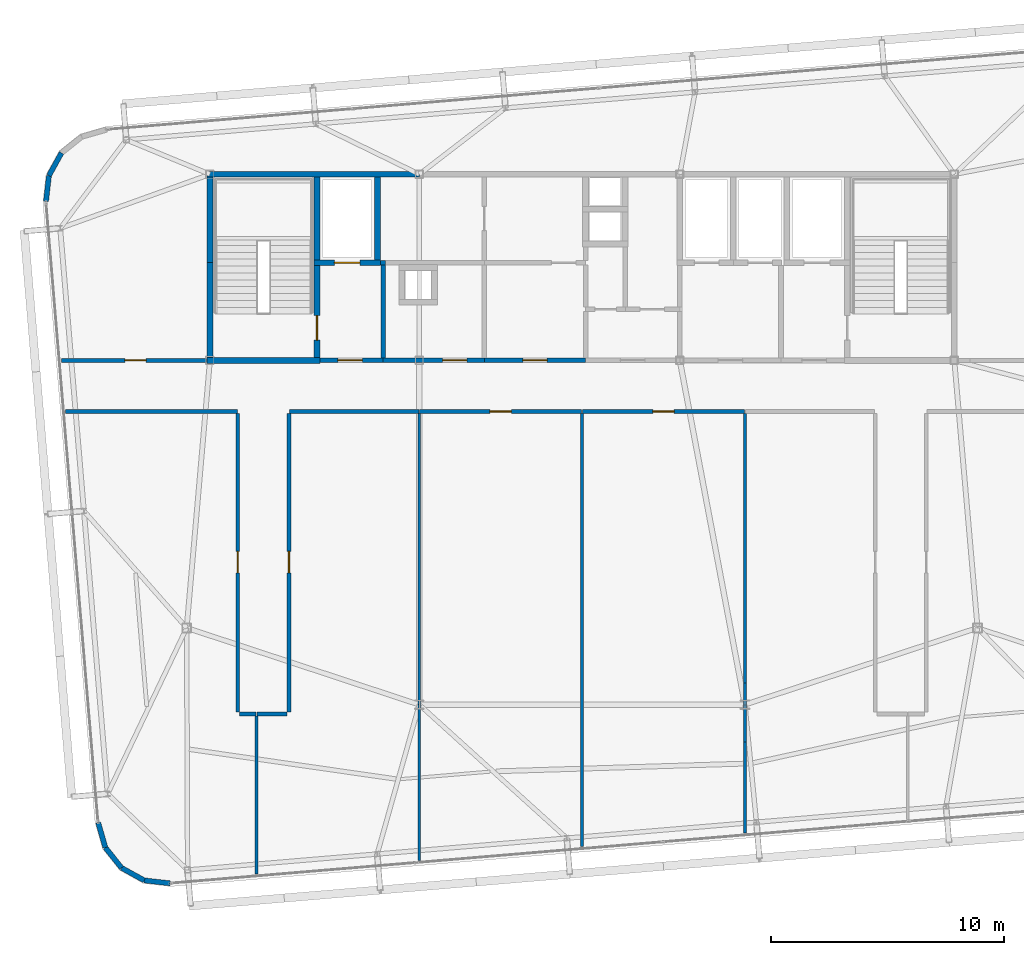
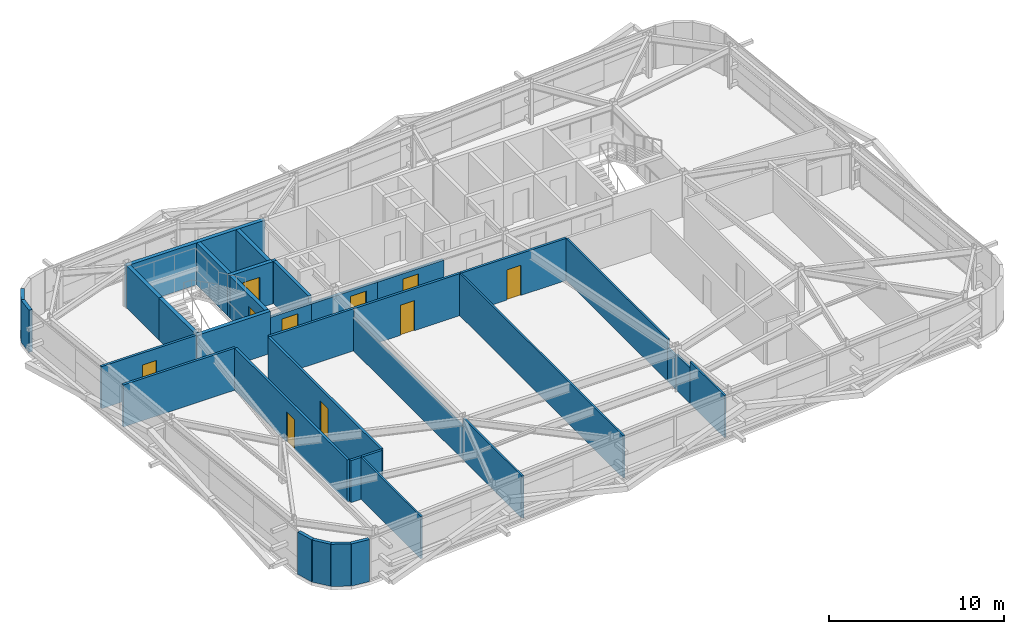
# One storey, part 35 of 39: 36 walls, 10 doors, 10 openings.
"""IFC4 building model written with IfcOpenShell, lengths in metres."""

import ifcopenshell
import ifcopenshell.guid

model = None  # the IFC model being written
_history = None  # IfcOwnerHistory: only IFC2X3 demands one
_inside = {}  # id of a spatial element -> (the spatial element, [elements in it])
_under = {}  # id of a project, library or spatial element -> (it, [spatial elements below it])
_declared = {}  # id of a project -> (the project, [libraries it declares])
_typed = {}  # id of a type object -> (the type object, [elements of that type])
_made_of = {}  # id of a material, layer set ... -> (it, [elements and type objects made of it])


def new_model(schema):
    """Start an empty IFC model of exactly this schema.

    Asked for "IFC4X3", IfcOpenShell would pick the latest addendum, in which some entities
    have other attributes; the version numbers below select the first issue.
    IFC2X3 requires an IfcOwnerHistory on every rooted entity: one is made here for all.
    """
    global model, _history
    if schema == "IFC4X3":
        model = ifcopenshell.file(schema_version=(4, 3, 0, 0))
    else:
        model = ifcopenshell.file(schema=schema)
    _inside.clear()
    _under.clear()
    _declared.clear()
    _typed.clear()
    _made_of.clear()
    _history = None
    if model.schema == "IFC2X3":
        org = make("IfcOrganization", Name="unknown")
        user = make(
            "IfcPersonAndOrganization",
            ThePerson=make("IfcPerson", FamilyName="unknown"),
            TheOrganization=org,
        )
        app = make(
            "IfcApplication",
            ApplicationDeveloper=org,
            Version="unknown",
            ApplicationFullName="unknown",
            ApplicationIdentifier="unknown",
        )
        _history = make(
            "IfcOwnerHistory",
            OwningUser=user,
            OwningApplication=app,
            ChangeAction="ADDED",
            CreationDate=0,
        )
    return model


def make(cls, **values):
    """One entity of the class cls with the attributes given. An attribute that is None is left unset."""
    return model.create_entity(
        cls, **{name: value for name, value in values.items() if value is not None}
    )


def rooted(cls, **values):
    """An entity with a GlobalId (a new one), such as an element, a storey or a relation."""
    return make(cls, GlobalId=ifcopenshell.guid.new(), OwnerHistory=_history, **values)


def si_unit(unit_type, name, prefix=None):
    """IfcSIUnit, for example si_unit("LENGTHUNIT", "METRE", prefix="MILLI")."""
    return make("IfcSIUnit", UnitType=unit_type, Prefix=prefix, Name=name)


def assignment(units):
    """IfcUnitAssignment: the units of a project."""
    return None if units is None else make("IfcUnitAssignment", Units=units)


def point(xyz):
    """IfcCartesianPoint."""
    return None if xyz is None else make("IfcCartesianPoint", Coordinates=xyz)


def direction(xyz):
    """IfcDirection."""
    return None if xyz is None else make("IfcDirection", DirectionRatios=xyz)


def frame(location, z_axis=None, x_axis=None):
    """IfcAxis2Placement3D, a coordinate frame: its origin and axes. An axis left out is left unset."""
    return make(
        "IfcAxis2Placement3D",
        Location=point(location),
        Axis=direction(z_axis),
        RefDirection=direction(x_axis),
    )


def frame_2d(location, x_axis=None):
    """IfcAxis2Placement2D, a coordinate frame in the plane: its origin and x axis."""
    return make(
        "IfcAxis2Placement2D", Location=point(location), RefDirection=direction(x_axis)
    )


def origin():
    """The frame at (0, 0, 0) with its axes left unset."""
    return frame((0.0, 0.0, 0.0))


def place(relative_to, where):
    """IfcLocalPlacement: puts the frame where relative to a parent placement (None: the world)."""
    return make(
        "IfcLocalPlacement", PlacementRelTo=relative_to, RelativePlacement=where
    )


def context(
    kind, dimensions, precision=None, world=None, true_north=None, identifier=None
):
    """IfcGeometricRepresentationContext, for example the 3D "Model" context."""
    return make(
        "IfcGeometricRepresentationContext",
        ContextIdentifier=identifier,
        ContextType=kind,
        CoordinateSpaceDimension=dimensions,
        Precision=precision,
        WorldCoordinateSystem=world,
        TrueNorth=true_north,
    )


def subcontext(parent, identifier, kind, view, scale=None):
    """IfcGeometricRepresentationSubContext, for example "Body" below "Model"."""
    return make(
        "IfcGeometricRepresentationSubContext",
        ContextIdentifier=identifier,
        ContextType=kind,
        ParentContext=parent,
        TargetScale=scale,
        TargetView=view,
    )


def project(units=None, contexts=None):
    """IfcProject with its units and contexts."""
    return rooted(
        "IfcProject",
        Name="project",
        RepresentationContexts=contexts,
        UnitsInContext=assignment(units),
    )


def spatial(cls, under=None, at=None, **own):
    """A site, building, storey or space (cls), placed at a placement, below another one or the project."""
    s = rooted(cls, ObjectPlacement=at, **own)
    if under is not None:
        _under.setdefault(under.id(), (under, []))[1].append(s)
    return s


def profile(cls, at=None, kind="AREA", **sizes):
    """A parametric profile (cls). Its sizes go by their IFC names, for example OverallWidth=200.0."""
    return make(cls, ProfileType=kind, Position=at, **sizes)


def rectangle(**sizes):
    """IfcRectangleProfileDef."""
    return profile("IfcRectangleProfileDef", **sizes)


def extrude(swept, where, along, depth):
    """IfcExtrudedAreaSolid: the profile swept, set in the frame where, extruded along a direction by depth."""
    return make(
        "IfcExtrudedAreaSolid",
        SweptArea=swept,
        Position=where,
        ExtrudedDirection=direction(along),
        Depth=depth,
    )


def shape(context_of_items, identifier, shape_type, items):
    """IfcShapeRepresentation: the items that make up one representation, for example the "Body"."""
    return make(
        "IfcShapeRepresentation",
        ContextOfItems=context_of_items,
        RepresentationIdentifier=identifier,
        RepresentationType=shape_type,
        Items=items,
    )


def source(mapping_origin, context_of_items, identifier, shape_type, items):
    """IfcRepresentationMap: a shape defined once, which mapped items show again and again."""
    return make(
        "IfcRepresentationMap",
        MappingOrigin=mapping_origin,
        MappedRepresentation=shape(context_of_items, identifier, shape_type, items),
    )


def transform(
    local_origin,
    x_axis=None,
    y_axis=None,
    z_axis=None,
    scale=None,
    scale2=None,
    scale3=None,
    uniform=True,
):
    """IfcCartesianTransformationOperator3D, or its non-uniform kind. x_axis, y_axis, z_axis: its Axis1, 2, 3."""
    if uniform:
        return make(
            "IfcCartesianTransformationOperator3D",
            Axis1=direction(x_axis),
            Axis2=direction(y_axis),
            LocalOrigin=point(local_origin),
            Scale=scale,
            Axis3=direction(z_axis),
        )
    return make(
        "IfcCartesianTransformationOperator3DnonUniform",
        Axis1=direction(x_axis),
        Axis2=direction(y_axis),
        LocalOrigin=point(local_origin),
        Scale=scale,
        Axis3=direction(z_axis),
        Scale2=scale2,
        Scale3=scale3,
    )


def mapped(mapping_source, mapping_target):
    """IfcMappedItem: shows the shape of a source again, moved by a transform."""
    return make(
        "IfcMappedItem", MappingSource=mapping_source, MappingTarget=mapping_target
    )


def material(Name=None, Category=None):
    """IfcMaterial."""
    return make("IfcMaterial", Name=Name, Category=Category)


def layer(
    of_material, thickness, ventilated=None, Name=None, Category=None, Priority=None
):
    """IfcMaterialLayer: one layer of a wall or slab, of a material (None: an air gap)."""
    return make(
        "IfcMaterialLayer",
        Material=of_material,
        LayerThickness=thickness,
        IsVentilated=ventilated,
        Name=Name,
        Category=Category,
        Priority=Priority,
    )


def layer_set(layers, Name=None):
    """IfcMaterialLayerSet."""
    return make("IfcMaterialLayerSet", MaterialLayers=layers, LayerSetName=Name)


def made_of(thing, what):
    """Note that an element or type object is made of a material, layer set ...; save() writes the relation."""
    if what is not None:
        _made_of.setdefault(what.id(), (what, []))[1].append(thing)
    return thing


def type_object(cls, material=None, **own):
    """A type object (cls), such as IfcWallType, which elements share."""
    return made_of(rooted(cls, **own), material)


def element(
    cls,
    number,
    at=None,
    inside=None,
    cuts=None,
    type_object=None,
    material=None,
    context=None,
    identifier="Body",
    shape_type=None,
    held_by="IfcProductDefinitionShape",
    body=None,
    shapes=None,
    **own,
):
    """One element of the class cls, such as IfcWall. Its Tag is "e" and its number.

    at: its placement. inside: the storey or other place that contains it. cuts: it is an
    opening in that element (IfcRelVoidsElement). A single representation is given by context,
    identifier, shape_type and body (its items); several are given by shapes. held_by: the class
    of the entity that holds the representations. save() writes the other relations.
    """
    e = rooted(cls, Tag="e%d" % number, ObjectPlacement=at, **own)
    if body is not None:
        shapes = [shape(context, identifier, shape_type, body)]
    if shapes is not None:
        e.Representation = make(held_by, Representations=shapes)
    if inside is not None:
        _inside.setdefault(inside.id(), (inside, []))[1].append(e)
    if cuts is not None:
        rooted(
            "IfcRelVoidsElement", RelatingBuildingElement=cuts, RelatedOpeningElement=e
        )
    if type_object is not None:
        _typed.setdefault(type_object.id(), (type_object, []))[1].append(e)
    return made_of(e, material)


def fill(opening, filler):
    """IfcRelFillsElement: the door or window that sits in an opening."""
    return rooted(
        "IfcRelFillsElement",
        RelatingOpeningElement=opening,
        RelatedBuildingElement=filler,
    )


def aggregate(whole, parts):
    """IfcRelAggregates: a whole, such as a stair, and the parts it consists of."""
    return rooted("IfcRelAggregates", RelatingObject=whole, RelatedObjects=parts)


def save(model, path):
    """Write the relations noted so far, then the file.

    IfcRelAggregates (storeys below a building ...), IfcRelContainedInSpatialStructure (elements
    in a storey), IfcRelDefinesByType, IfcRelAssociatesMaterial and IfcRelDeclares: one each for
    every whole, place, type object, material and project.
    """
    for whole, parts in _under.values():
        aggregate(whole, parts)
    for where, things in _inside.values():
        rooted(
            "IfcRelContainedInSpatialStructure",
            RelatedElements=things,
            RelatingStructure=where,
        )
    for kind, things in _typed.values():
        rooted("IfcRelDefinesByType", RelatedObjects=things, RelatingType=kind)
    for what, things in _made_of.values():
        rooted("IfcRelAssociatesMaterial", RelatedObjects=things, RelatingMaterial=what)
    for by, libraries in _declared.values():
        rooted("IfcRelDeclares", RelatingContext=by, RelatedDefinitions=libraries)
    model.write(path)


model = new_model("IFC4")

# Units and contexts
model_context = context("Model", 3, precision=1e-05, world=origin(), true_north=direction((0.0, 1.0)))
body_context = subcontext(model_context, "Body", "Model", "MODEL_VIEW")
ifc_project = project(units=[si_unit("LENGTHUNIT", "METRE"), si_unit("AREAUNIT", "SQUARE_METRE"), si_unit("VOLUMEUNIT", "CUBIC_METRE"), si_unit("PLANEANGLEUNIT", "RADIAN"), si_unit("MASSUNIT", "GRAM", prefix="KILO")], contexts=[model_context])

# Site, building, storey
site_placement = place(None, origin())
site = spatial("IfcSite", under=ifc_project, at=site_placement, CompositionType="ELEMENT")
building_placement = place(site_placement, origin())
building = spatial("IfcBuilding", under=site, at=building_placement, Name="Taldren Reach Tower", CompositionType="ELEMENT")
storey_placement = place(building_placement, frame((0.0, 0.0, 178.85009765625)))
storey = spatial("IfcBuildingStorey", under=building, at=storey_placement, Name="L54", CompositionType="ELEMENT", Elevation=178.85009765625)

# Walls
ifc_material_1 = material(Name="Pale Champagne Anodised Aluminium Cladding", Category="aluminium")
ifc_layer_1 = layer(ifc_material_1, 0.04, Name="Pale Champagne Anodised Aluminium Cladding", Category="aluminium")
ifc_material_2 = material(Name="Mineral Wool Acoustic Insulation", Category="insulation")
ifc_layer_2 = layer(ifc_material_2, 0.06, Name="Mineral Wool Acoustic Insulation", Category="insulation")
ifc_material_3 = material(Name="Steel Gr 350 (C350L0)", Category="steel")
ifc_layer_3 = layer(ifc_material_3, 0.12, Name="Steel Gr 350 (C350L0)", Category="steel")
ifc_layer_set_1 = layer_set([ifc_layer_1, ifc_layer_2, ifc_layer_3], Name="Pale Champagne Aluminium Cladding and Steel Gr 350 Stud Framing")
wall_type_1 = type_object("IfcWallType", Name="EW-CRN-220", PredefinedType="SOLIDWALL", material=ifc_layer_set_1)
shared_shape_1 = source(origin(), body_context, "Body", "SweptSolid", [
    extrude(rectangle(XDim=1.115966796875, YDim=0.219970703125, at=frame_2d((0.55810546875, 0.0))), origin(), (0.0, 0.0, 1.0), 2.929931640625),
])
for number, where, z_axis, x_axis, name in (
    (1, (12.618896484375, 32.9208984375, 0.0), (0.0, 0.0, 1.0), (-0.484100585842, -0.875012355791, 0.0), "Rounded-corner pale-metal facade wall L54-NW3"),
    (2, (12.07861328125, 31.9443359375, 0.0), (0.0, 0.0, 1.0), (-0.112232247342, -0.993682002784, 0.0), "Rounded-corner pale-metal facade wall L54-NW4"),
    (3, (14.19580078125, 4.129638671875, 0.0), (0.0, 0.0, 1.0), (0.276512002475, -0.961010464297, 0.0), "Rounded-corner pale-metal facade wall L54-SW1"),
    (4, (14.50439453125, 3.05712890625, 0.0), (0.0, 0.0, 1.0), (0.623092886403, -0.782147847222, 0.0), "Rounded-corner pale-metal facade wall L54-SW2"),
    (5, (15.19970703125, 2.184326171875, 0.0), (0.0, 0.0, 1.0), (0.875105012065, -0.483933071672, 0.0), "Rounded-corner pale-metal facade wall L54-SW3"),
    (6, (16.17626953125, 1.644287109375, 0.0), (0.0, 0.0, 1.0), (0.993657581277, -0.112448259968, 0.0), "Rounded-corner pale-metal facade wall L54-SW4"),
):
    element("IfcWall", number, at=place(storey_placement, frame(where, z_axis=z_axis, x_axis=x_axis)), inside=storey, type_object=wall_type_1, Name=name, PredefinedType="SOLIDWALL", context=body_context, shape_type="MappedRepresentation", body=[
        mapped(shared_shape_1, transform((0.0, 0.0, 0.0), scale=1.0)),
    ])

# Wall, opening, door
ifc_material_4 = material(Name="Concrete S50 (50 MPa)", Category="concrete")
ifc_layer_4 = layer(ifc_material_4, 0.199951171875)
ifc_layer_set_2 = layer_set([ifc_layer_4], Name="Concrete S50 (50 MPa)")
wall_type_2 = type_object("IfcWallType", Name="IW-CORE-200", PredefinedType="SOLIDWALL", material=ifc_layer_set_2)
shared_shape_2 = source(origin(), body_context, "Body", "SweptSolid", [
    extrude(rectangle(XDim=4.35009765625, YDim=0.199951171875, at=frame_2d((2.175048828125, 0.0))), origin(), (0.0, 0.0, 1.0), 2.469970703125),
])
wall_1_placement = place(storey_placement, frame((30.800048828125, 24.0, 0.0), z_axis=(0.0, 0.0, 1.0), x_axis=(-1.0, 0.0, 0.0)))
wall_1 = element("IfcWall", 7, at=wall_1_placement, inside=storey, type_object=wall_type_2, Name="Rear Core Shear Wall W-INT-L54-034", PredefinedType="SOLIDWALL", context=body_context, shape_type="MappedRepresentation", body=[
    mapped(shared_shape_2, transform((0.0, 0.0, 0.0), scale=1.0)),
])
shared_shape_3 = source(origin(), body_context, "Body", "SweptSolid", [
    extrude(rectangle(XDim=1.050048828125, YDim=2.10009765625, at=frame_2d((0.52490234375, 1.050048828125))), frame((0.0, 0.10986328125, 0.0), z_axis=(0.0, -1.0, 0.0), x_axis=(1.0, 0.0, 0.0)), (0.0, 0.0, 1.0), 0.219970703125),
])
opening_1_placement = place(wall_1_placement, frame((0.75, 0.0, 0.0)))
opening_1 = element("IfcOpeningElement", 8, at=opening_1_placement, cuts=wall_1, Name="Opening DF-105", PredefinedType="OPENING", context=body_context, shape_type="MappedRepresentation", body=[
    mapped(shared_shape_3, transform((0.0, 0.0, 0.0), scale=1.0)),
])
ifc_material_5 = material(Name="Fire-Rated Care and Stair Exit Door")
door_type_1 = type_object("IfcDoorType", Name="ID-FIRE-105", OperationType="NOTDEFINED", PredefinedType="DOOR", material=ifc_material_5)
shared_shape_4 = source(origin(), body_context, "Body", "SweptSolid", [
    extrude(rectangle(XDim=1.050048828125, YDim=2.10009765625, at=frame_2d((0.52490234375, 1.050048828125))), frame((0.0, 0.02490234375, 0.0), z_axis=(0.0, -1.0, 0.0), x_axis=(1.0, 0.0, 0.0)), (0.0, 0.0, 1.0), 0.050048828125),
])
door_1_placement = place(opening_1_placement, frame((1.050048828125, 0.0, 0.0), z_axis=(0.0, 0.0, 1.0), x_axis=(-1.0, 0.0, 0.0)))
door_1 = element("IfcDoor", 9, at=door_1_placement, inside=storey, type_object=door_type_1, Name="Interior Door DR-L54-006", OperationType="SINGLE_SWING_RIGHT", OverallHeight=2.10009765625, OverallWidth=1.050048828125, PredefinedType="DOOR", context=body_context, shape_type="MappedRepresentation", body=[
    mapped(shared_shape_4, transform((0.0, 0.0, 0.0), scale=1.0)),
])
fill(opening_1, door_1)

shared_shape_5 = source(origin(), body_context, "Body", "SweptSolid", [
    extrude(rectangle(XDim=4.349853515625, YDim=0.199951171875, at=frame_2d((2.1748046875, 0.0))), origin(), (0.0, 0.0, 1.0), 2.469970703125),
])
wall_2_placement = place(storey_placement, frame((35.14990234375, 24.0, 0.0), z_axis=(0.0, 0.0, 1.0), x_axis=(-1.0, 0.0, 0.0)))
wall_2 = element("IfcWall", 10, at=wall_2_placement, inside=storey, type_object=wall_type_2, Name="Rear Core Shear Wall W-INT-L54-039", PredefinedType="SOLIDWALL", context=body_context, shape_type="MappedRepresentation", body=[
    mapped(shared_shape_5, transform((0.0, 0.0, 0.0), scale=1.0)),
])
opening_2_placement = place(wall_2_placement, frame((1.64990234375, 0.0, 0.0)))
opening_2 = element("IfcOpeningElement", 11, at=opening_2_placement, cuts=wall_2, Name="Opening DF-105", PredefinedType="OPENING", context=body_context, shape_type="MappedRepresentation", body=[
    mapped(shared_shape_3, transform((0.0, 0.0, 0.0), scale=1.0)),
])
door_2_placement = place(opening_2_placement, frame((1.050048828125, 0.0, 0.0), z_axis=(0.0, 0.0, 1.0), x_axis=(-1.0, 0.0, 0.0)))
door_2 = element("IfcDoor", 12, at=door_2_placement, inside=storey, type_object=door_type_1, Name="Interior Door DR-L54-009", OperationType="SINGLE_SWING_LEFT", OverallHeight=2.10009765625, OverallWidth=1.050048828125, PredefinedType="DOOR", context=body_context, shape_type="MappedRepresentation", body=[
    mapped(shared_shape_4, transform((0.0, 0.0, 0.0), scale=1.0)),
])
fill(opening_2, door_2)

# Walls
ifc_material_6 = material(Name="Fire-Rated Acoustic Plasterboard Stud Wall", Category="gypsum")
ifc_layer_5 = layer(ifc_material_6, 0.159912109375)
ifc_layer_set_3 = layer_set([ifc_layer_5], Name="Fire-Rated Acoustic Plasterboard Stud Wall")
wall_type_3 = type_object("IfcWallType", Name="IW-FIRE-160", PredefinedType="PARTITIONING", material=ifc_layer_set_3)
shared_shape_6 = source(origin(), body_context, "Body", "SweptSolid", [
    extrude(rectangle(XDim=1.2998046875, YDim=0.159912109375, at=frame_2d((0.64990234375, 0.0))), origin(), (0.0, 0.0, 1.0), 2.929931640625),
])
wall_3_placement = place(storey_placement, frame((22.320068359375, 8.800048828125, 0.0), z_axis=(0.0, 0.0, 1.0), x_axis=(-1.0, 0.0, 0.0)))
element("IfcWall", 13, at=wall_3_placement, inside=storey, type_object=wall_type_3, Name="Interior Partition Wall W-INT-L54-051", PredefinedType="PARTITIONING", context=body_context, shape_type="MappedRepresentation", body=[
    mapped(shared_shape_6, transform((0.0, 0.0, 0.0), scale=1.0)),
])
shared_shape_7 = source(origin(), body_context, "Body", "SweptSolid", [
    extrude(rectangle(XDim=0.69970703125, YDim=0.159912109375, at=frame_2d((0.349853515625, 0.0))), origin(), (0.0, 0.0, 1.0), 2.929931640625),
])
wall_4_placement = place(storey_placement, frame((20.979736328125, 8.800048828125, 0.0), z_axis=(0.0, 0.0, 1.0), x_axis=(-1.0, 0.0, 0.0)))
element("IfcWall", 14, at=wall_4_placement, inside=storey, type_object=wall_type_3, Name="Interior Partition Wall W-INT-L54-048", PredefinedType="PARTITIONING", context=body_context, shape_type="MappedRepresentation", body=[
    mapped(shared_shape_7, transform((0.0, 0.0, 0.0), scale=1.0)),
])
shared_shape_8 = source(origin(), body_context, "Body", "SweptSolid", [
    extrude(rectangle(XDim=4.0, YDim=0.199951171875, at=frame_2d((2.0, 0.0))), origin(), (0.0, 0.0, 1.0), 2.929931640625),
])
wall_5_placement = place(storey_placement, frame((26.449951171875, 24.10009765625, 0.0), z_axis=(0.0, 0.0, 1.0), x_axis=(0.0, 1.0, 0.0)))
element("IfcWall", 15, at=wall_5_placement, inside=storey, type_object=wall_type_2, Name="Rear Core Shear Wall W-INT-L54-006", PredefinedType="SOLIDWALL", context=body_context, shape_type="MappedRepresentation", body=[
    mapped(shared_shape_8, transform((0.0, 0.0, 0.0), scale=1.0)),
])
ifc_material_7 = material(Name="Insulated Residential Stud Partition", Category="gypsum")
ifc_layer_6 = layer(ifc_material_7, 0.1201171875)
ifc_layer_set_4 = layer_set([ifc_layer_6], Name="Insulated Residential Stud Partition")
wall_type_4 = type_object("IfcWallType", Name="IW-PART-120", PredefinedType="PARTITIONING", material=ifc_layer_set_4)
shared_shape_9 = source(origin(), body_context, "Body", "SweptSolid", [
    extrude(rectangle(XDim=11.589599609375, YDim=0.1201171875, at=frame_2d((5.794921875, 0.0))), origin(), (0.0, 0.0, 1.0), 2.929931640625),
])
wall_6_placement = place(storey_placement, frame((42.0, 21.719970703125, 0.0), z_axis=(0.0, 0.0, 1.0), x_axis=(0.0, -1.0, 0.0)))
element("IfcWall", 16, at=wall_6_placement, inside=storey, type_object=wall_type_4, Name="Interior Partition Wall W-INT-L54-065", PredefinedType="PARTITIONING", context=body_context, shape_type="MappedRepresentation", body=[
    mapped(shared_shape_9, transform((0.0, 0.0, 0.0), scale=1.0)),
])
shared_shape_10 = source(origin(), body_context, "Body", "SweptSolid", [
    extrude(rectangle(XDim=0.941650390625, YDim=0.1201171875, at=frame_2d((0.470703125, 0.0))), origin(), (0.0, 0.0, 1.0), 2.327880859375),
])
wall_7_placement = place(storey_placement, frame((42.0, 10.13037109375, 0.0), z_axis=(0.0, 0.0, 1.0), x_axis=(0.0, -1.0, 0.0)))
element("IfcWall", 17, at=wall_7_placement, inside=storey, type_object=wall_type_4, Name="Interior Partition Wall W-INT-L54-065 part 2", PredefinedType="PARTITIONING", context=body_context, shape_type="MappedRepresentation", body=[
    mapped(shared_shape_10, transform((0.0, 0.0, 0.0), scale=1.0)),
])

# Wall, opening, door
shared_shape_11 = source(origin(), body_context, "Body", "SweptSolid", [
    extrude(rectangle(XDim=6.95947265625, YDim=0.159912109375, at=frame_2d((3.479736328125, 0.0))), origin(), (0.0, 0.0, 1.0), 2.929931640625),
])
wall_8_placement = place(storey_placement, frame((34.979736328125, 21.800048828125, 0.0), z_axis=(0.0, 0.0, 1.0), x_axis=(-1.0, 0.0, 0.0)))
wall_8 = element("IfcWall", 18, at=wall_8_placement, inside=storey, type_object=wall_type_3, Name="Interior Partition Wall W-INT-L54-052", PredefinedType="PARTITIONING", context=body_context, shape_type="MappedRepresentation", body=[
    mapped(shared_shape_11, transform((0.0, 0.0, 0.0), scale=1.0)),
])
shared_shape_12 = source(origin(), body_context, "Body", "SweptSolid", [
    extrude(rectangle(XDim=0.919921875, YDim=2.10009765625, at=frame_2d((0.4599609375, 1.050048828125))), frame((0.0, 0.08984375, 0.0), z_axis=(0.0, -1.0, 0.0), x_axis=(1.0, 0.0, 0.0)), (0.0, 0.0, 1.0), 0.179931640625),
])
opening_3_placement = place(wall_8_placement, frame((3.019775390625, 0.0, 0.0)))
opening_3 = element("IfcOpeningElement", 19, at=opening_3_placement, cuts=wall_8, Name="Opening DI-092", PredefinedType="OPENING", context=body_context, shape_type="MappedRepresentation", body=[
    mapped(shared_shape_12, transform((0.0, 0.0, 0.0), scale=1.0)),
])
ifc_material_8 = material(Name="Solid-Core Timber Suite Door", Category="wood")
door_type_2 = type_object("IfcDoorType", Name="ID-INT-092", OperationType="NOTDEFINED", PredefinedType="DOOR", material=ifc_material_8)
shared_shape_13 = source(origin(), body_context, "Body", "SweptSolid", [
    extrude(rectangle(XDim=0.919921875, YDim=2.10009765625, at=frame_2d((0.4599609375, 1.050048828125))), frame((0.0, 0.02490234375, 0.0), z_axis=(0.0, -1.0, 0.0), x_axis=(1.0, 0.0, 0.0)), (0.0, 0.0, 1.0), 0.050048828125),
])
door_3_placement = place(opening_3_placement, origin())
door_3 = element("IfcDoor", 20, at=door_3_placement, inside=storey, type_object=door_type_2, Name="Interior Door DR-L54-016", OperationType="SINGLE_SWING_LEFT", OverallHeight=2.10009765625, OverallWidth=0.919921875, PredefinedType="DOOR", context=body_context, shape_type="MappedRepresentation", body=[
    mapped(shared_shape_13, transform((0.0, 0.0, 0.0), scale=1.0)),
])
fill(opening_3, door_3)

wall_9_placement = place(storey_placement, frame((41.979736328125, 21.800048828125, 0.0), z_axis=(0.0, 0.0, 1.0), x_axis=(-1.0, 0.0, 0.0)))
wall_9 = element("IfcWall", 21, at=wall_9_placement, inside=storey, type_object=wall_type_3, Name="Interior Partition Wall W-INT-L54-054", PredefinedType="PARTITIONING", context=body_context, shape_type="MappedRepresentation", body=[
    mapped(shared_shape_11, transform((0.0, 0.0, 0.0), scale=1.0)),
])
opening_4_placement = place(wall_9_placement, frame((3.019775390625, 0.0, 0.0)))
opening_4 = element("IfcOpeningElement", 22, at=opening_4_placement, cuts=wall_9, Name="Opening DI-092", PredefinedType="OPENING", context=body_context, shape_type="MappedRepresentation", body=[
    mapped(shared_shape_12, transform((0.0, 0.0, 0.0), scale=1.0)),
])
door_4_placement = place(opening_4_placement, origin())
door_4 = element("IfcDoor", 23, at=door_4_placement, inside=storey, type_object=door_type_2, Name="Interior Door DR-L54-018", OperationType="SINGLE_SWING_LEFT", OverallHeight=2.10009765625, OverallWidth=0.919921875, PredefinedType="DOOR", context=body_context, shape_type="MappedRepresentation", body=[
    mapped(shared_shape_13, transform((0.0, 0.0, 0.0), scale=1.0)),
])
fill(opening_4, door_4)

# Walls
shared_shape_14 = source(origin(), body_context, "Body", "SweptSolid", [
    extrude(rectangle(XDim=12.52001953125, YDim=0.1201171875, at=frame_2d((6.260009765625, 0.0))), origin(), (0.0, 0.0, 1.0), 2.327880859375),
])
wall_10_placement = place(storey_placement, frame((28.0, 21.719970703125, 0.0), z_axis=(0.0, 0.0, 1.0), x_axis=(0.0, -1.0, 0.0)))
element("IfcWall", 24, at=wall_10_placement, inside=storey, type_object=wall_type_4, Name="Interior Partition Wall W-INT-L54-063", PredefinedType="PARTITIONING", context=body_context, shape_type="MappedRepresentation", body=[
    mapped(shared_shape_14, transform((0.0, 0.0, 0.0), scale=1.0)),
])
ifc_material_9 = material(Name="Concrete S65 (65 MPa)", Category="concrete")
ifc_layer_7 = layer(ifc_material_9, 0.25)
ifc_layer_set_5 = layer_set([ifc_layer_7], Name="Concrete S65 (65 MPa)")
wall_type_5 = type_object("IfcWallType", Name="IW-CORE-250", PredefinedType="SHEAR", material=ifc_layer_set_5)
shared_shape_15 = source(origin(), body_context, "Body", "SweptSolid", [
    extrude(rectangle(XDim=9.125, YDim=0.25, at=frame_2d((4.5625, 0.0))), origin(), (0.0, 0.0, 1.0), 2.929931640625),
])
wall_11_placement = place(storey_placement, frame((18.875, 32.0, 0.0), z_axis=(0.0, 0.0, 1.0), x_axis=(1.0, 0.0, 0.0)))
element("IfcWall", 25, at=wall_11_placement, inside=storey, type_object=wall_type_5, Name="Rear Core Shear Wall W-CORE-L54-NORTH1", PredefinedType="SHEAR", context=body_context, shape_type="MappedRepresentation", body=[
    mapped(shared_shape_15, transform((0.0, 0.0, 0.0), scale=1.0)),
])
shared_shape_16 = source(origin(), body_context, "Body", "SweptSolid", [
    extrude(rectangle(XDim=4.074951171875, YDim=0.25, at=frame_2d((2.03759765625, 0.0))), origin(), (0.0, 0.0, 1.0), 2.929931640625),
])
wall_12_placement = place(storey_placement, frame((19.0, 24.125, 0.0), z_axis=(0.0, 0.0, 1.0), x_axis=(0.0, 1.0, 0.0)))
element("IfcWall", 26, at=wall_12_placement, inside=storey, type_object=wall_type_5, Name="Rear Core Shear Wall W-CORE-L54-WEST1", PredefinedType="SHEAR", context=body_context, shape_type="MappedRepresentation", body=[
    mapped(shared_shape_16, transform((0.0, 0.0, 0.0), scale=1.0)),
])
shared_shape_17 = source(origin(), body_context, "Body", "SweptSolid", [
    extrude(rectangle(XDim=3.675048828125, YDim=0.25, at=frame_2d((1.83740234375, 0.0))), origin(), (0.0, 0.0, 1.0), 2.929931640625),
])
wall_13_placement = place(storey_placement, frame((19.0, 28.199951171875, 0.0), z_axis=(0.0, 0.0, 1.0), x_axis=(0.0, 1.0, 0.0)))
element("IfcWall", 27, at=wall_13_placement, inside=storey, type_object=wall_type_5, Name="Rear Core Shear Wall W-CORE-L54-WEST2", PredefinedType="SHEAR", context=body_context, shape_type="MappedRepresentation", body=[
    mapped(shared_shape_17, transform((0.0, 0.0, 0.0), scale=1.0)),
])
shared_shape_18 = source(origin(), body_context, "Body", "SweptSolid", [
    extrude(rectangle(XDim=3.550048828125, YDim=0.25, at=frame_2d((1.77490234375, 0.0))), origin(), (0.0, 0.0, 1.0), 2.929931640625),
])
for number, where, z_axis, x_axis, name in (
    (28, (23.60009765625, 28.324951171875, 0.0), (0.0, 0.0, 1.0), (0.0, 1.0, 0.0), "Rear Core Shear Wall W-INT-L54-001"),
    (29, (26.199951171875, 28.324951171875, 0.0), (0.0, 0.0, 1.0), (0.0, 1.0, 0.0), "Rear Core Shear Wall W-INT-L54-005"),
):
    element("IfcWall", number, at=place(storey_placement, frame(where, z_axis=z_axis, x_axis=x_axis)), inside=storey, type_object=wall_type_5, Name=name, PredefinedType="SHEAR", context=body_context, shape_type="MappedRepresentation", body=[
        mapped(shared_shape_18, transform((0.0, 0.0, 0.0), scale=1.0)),
    ])

# Wall, opening, door
shared_shape_19 = source(origin(), body_context, "Body", "SweptSolid", [
    extrude(rectangle(XDim=3.949951171875, YDim=0.25, at=frame_2d((1.97509765625, 0.0))), origin(), (0.0, 0.0, 1.0), 2.929931640625),
])
wall_14_placement = place(storey_placement, frame((23.60009765625, 24.125, 0.0), z_axis=(0.0, 0.0, 1.0), x_axis=(0.0, 1.0, 0.0)))
wall_14 = element("IfcWall", 30, at=wall_14_placement, inside=storey, type_object=wall_type_5, Name="Rear Core Shear Wall W-INT-L54-002", PredefinedType="SHEAR", context=body_context, shape_type="MappedRepresentation", body=[
    mapped(shared_shape_19, transform((0.0, 0.0, 0.0), scale=1.0)),
])
shared_shape_20 = source(origin(), body_context, "Body", "SweptSolid", [
    extrude(rectangle(XDim=1.050048828125, YDim=2.10009765625, at=frame_2d((0.52490234375, 1.050048828125))), frame((0.0, 0.135009765625, 0.0), z_axis=(0.0, -1.0, 0.0), x_axis=(1.0, 0.0, 0.0)), (0.0, 0.0, 1.0), 0.27001953125),
])
opening_5_placement = place(wall_14_placement, frame((0.75, 0.0, 0.0)))
opening_5 = element("IfcOpeningElement", 31, at=opening_5_placement, cuts=wall_14, Name="Opening DF-105", PredefinedType="OPENING", context=body_context, shape_type="MappedRepresentation", body=[
    mapped(shared_shape_20, transform((0.0, 0.0, 0.0), scale=1.0)),
])
door_5_placement = place(opening_5_placement, origin())
door_5 = element("IfcDoor", 32, at=door_5_placement, inside=storey, type_object=door_type_1, Name="Fire Exit Stair Door DR-L54-001", OperationType="SINGLE_SWING_LEFT", OverallHeight=2.10009765625, OverallWidth=1.050048828125, PredefinedType="DOOR", context=body_context, shape_type="MappedRepresentation", body=[
    mapped(shared_shape_4, transform((0.0, 0.0, 0.0), scale=1.0)),
])
fill(opening_5, door_5)

# Wall
shared_shape_21 = source(origin(), body_context, "Body", "SweptSolid", [
    extrude(rectangle(XDim=4.85009765625, YDim=0.25, at=frame_2d((2.425048828125, 0.0))), origin(), (0.0, 0.0, 1.0), 2.929931640625),
])
wall_15_placement = place(storey_placement, frame((18.875, 24.0, 0.0), z_axis=(0.0, 0.0, 1.0), x_axis=(1.0, 0.0, 0.0)))
element("IfcWall", 33, at=wall_15_placement, inside=storey, type_object=wall_type_5, Name="Rear Core Shear Wall W-INT-L54-003", PredefinedType="SHEAR", context=body_context, shape_type="MappedRepresentation", body=[
    mapped(shared_shape_21, transform((0.0, 0.0, 0.0), scale=1.0)),
])

# Wall, opening, door
shared_shape_22 = source(origin(), body_context, "Body", "SweptSolid", [
    extrude(rectangle(XDim=2.849853515625, YDim=0.25, at=frame_2d((1.4248046875, 0.0))), origin(), (0.0, 0.0, 1.0), 2.929931640625),
])
wall_16_placement = place(storey_placement, frame((23.47509765625, 28.199951171875, 0.0), z_axis=(0.0, 0.0, 1.0), x_axis=(1.0, 0.0, 0.0)))
wall_16 = element("IfcWall", 34, at=wall_16_placement, inside=storey, type_object=wall_type_5, Name="Rear Core Shear Wall W-INT-L54-004", PredefinedType="SHEAR", context=body_context, shape_type="MappedRepresentation", body=[
    mapped(shared_shape_22, transform((0.0, 0.0, 0.0), scale=1.0)),
])
shared_shape_23 = source(origin(), body_context, "Body", "SweptSolid", [
    extrude(rectangle(XDim=1.10009765625, YDim=2.14990234375, at=frame_2d((0.550048828125, 1.074951171875))), frame((0.0, 0.135009765625, 0.0), z_axis=(0.0, -1.0, 0.0), x_axis=(1.0, 0.0, 0.0)), (0.0, 0.0, 1.0), 0.27001953125),
])
opening_6_placement = place(wall_16_placement, frame((0.875, 0.0, 0.0)))
opening_6 = element("IfcOpeningElement", 35, at=opening_6_placement, cuts=wall_16, Name="Opening LD-FL1", PredefinedType="OPENING", context=body_context, shape_type="MappedRepresentation", body=[
    mapped(shared_shape_23, transform((0.0, 0.0, 0.0), scale=1.0)),
])
ifc_material_10 = material(Name="Stainless Steel Gr 316 Emergency Lift Landing Door", Category="steel")
door_type_3 = type_object("IfcDoorType", Name="LD-EMG-110", OperationType="SLIDING_TO_LEFT", PredefinedType="DOOR", material=ifc_material_10)
shared_shape_24 = source(origin(), body_context, "Body", "SweptSolid", [
    extrude(rectangle(XDim=1.10009765625, YDim=2.14990234375, at=frame_2d((0.550048828125, 1.074951171875))), frame((0.0, 0.02490234375, 0.0), z_axis=(0.0, -1.0, 0.0), x_axis=(1.0, 0.0, 0.0)), (0.0, 0.0, 1.0), 0.050048828125),
])
door_6_placement = place(opening_6_placement, origin())
door_6 = element("IfcDoor", 36, at=door_6_placement, inside=storey, type_object=door_type_3, Name="Lift Landing Door LD-FL1-L54", OperationType="SLIDING_TO_LEFT", OverallHeight=2.14990234375, OverallWidth=1.10009765625, PredefinedType="DOOR", context=body_context, shape_type="MappedRepresentation", body=[
    mapped(shared_shape_24, transform((0.0, 0.0, 0.0), scale=1.0)),
])
fill(opening_6, door_6)

shared_shape_25 = source(origin(), body_context, "Body", "SweptSolid", [
    extrude(rectangle(XDim=2.724853515625, YDim=0.199951171875, at=frame_2d((1.3623046875, 0.0))), origin(), (0.0, 0.0, 1.0), 2.469970703125),
])
wall_17_placement = place(storey_placement, frame((23.72509765625, 24.0, 0.0), z_axis=(0.0, 0.0, 1.0), x_axis=(1.0, 0.0, 0.0)))
wall_17 = element("IfcWall", 37, at=wall_17_placement, inside=storey, type_object=wall_type_2, Name="Rear Core Shear Wall W-INT-L54-007", PredefinedType="SOLIDWALL", context=body_context, shape_type="MappedRepresentation", body=[
    mapped(shared_shape_25, transform((0.0, 0.0, 0.0), scale=1.0)),
])
opening_7_placement = place(wall_17_placement, frame((0.77490234375, 0.0, 0.0)))
opening_7 = element("IfcOpeningElement", 38, at=opening_7_placement, cuts=wall_17, Name="Opening DF-105", PredefinedType="OPENING", context=body_context, shape_type="MappedRepresentation", body=[
    mapped(shared_shape_3, transform((0.0, 0.0, 0.0), scale=1.0)),
])
door_7_placement = place(opening_7_placement, origin())
door_7 = element("IfcDoor", 39, at=door_7_placement, inside=storey, type_object=door_type_1, Name="Interior Door DR-L54-002", OperationType="SINGLE_SWING_LEFT", OverallHeight=2.10009765625, OverallWidth=1.050048828125, PredefinedType="DOOR", context=body_context, shape_type="MappedRepresentation", body=[
    mapped(shared_shape_4, transform((0.0, 0.0, 0.0), scale=1.0)),
])
fill(opening_7, door_7)

shared_shape_26 = source(origin(), body_context, "Body", "SweptSolid", [
    extrude(rectangle(XDim=6.250732421875, YDim=0.159912109375, at=frame_2d((3.12548828125, 0.0))), origin(), (0.0, 0.0, 1.0), 2.929931640625),
])
wall_18_placement = place(storey_placement, frame((12.624267578125, 24.0, 0.0), z_axis=(0.0, 0.0, 1.0), x_axis=(1.0, 0.0, 0.0)))
wall_18 = element("IfcWall", 40, at=wall_18_placement, inside=storey, type_object=wall_type_3, Name="Interior Partition Wall W-INT-L54-045", PredefinedType="PARTITIONING", context=body_context, shape_type="MappedRepresentation", body=[
    mapped(shared_shape_26, transform((0.0, 0.0, 0.0), scale=1.0)),
])
opening_8_placement = place(wall_18_placement, frame((2.7177734375, 0.0, 0.0)))
opening_8 = element("IfcOpeningElement", 41, at=opening_8_placement, cuts=wall_18, Name="Opening DI-092", PredefinedType="OPENING", context=body_context, shape_type="MappedRepresentation", body=[
    mapped(shared_shape_12, transform((0.0, 0.0, 0.0), scale=1.0)),
])
door_8_placement = place(opening_8_placement, origin())
door_8 = element("IfcDoor", 42, at=door_8_placement, inside=storey, type_object=door_type_2, Name="Interior Door DR-L54-013", OperationType="SINGLE_SWING_RIGHT", OverallHeight=2.10009765625, OverallWidth=0.919921875, PredefinedType="DOOR", context=body_context, shape_type="MappedRepresentation", body=[
    mapped(shared_shape_13, transform((0.0, 0.0, 0.0), scale=1.0)),
])
fill(opening_8, door_8)

shared_shape_27 = source(origin(), body_context, "Body", "SweptSolid", [
    extrude(rectangle(XDim=12.840087890625, YDim=0.159912109375, at=frame_2d((6.419921875, 0.0))), origin(), (0.0, 0.0, 1.0), 2.929931640625),
])
wall_19_placement = place(storey_placement, frame((20.199951171875, 8.8798828125, 0.0), z_axis=(0.0, 0.0, 1.0), x_axis=(0.0, 1.0, 0.0)))
wall_19 = element("IfcWall", 43, at=wall_19_placement, inside=storey, type_object=wall_type_3, Name="Interior Partition Wall W-INT-L54-046", PredefinedType="PARTITIONING", context=body_context, shape_type="MappedRepresentation", body=[
    mapped(shared_shape_27, transform((0.0, 0.0, 0.0), scale=1.0)),
])
opening_9_placement = place(wall_19_placement, frame((5.989990234375, 0.0, 0.0)))
opening_9 = element("IfcOpeningElement", 44, at=opening_9_placement, cuts=wall_19, Name="Opening DI-092", PredefinedType="OPENING", context=body_context, shape_type="MappedRepresentation", body=[
    mapped(shared_shape_12, transform((0.0, 0.0, 0.0), scale=1.0)),
])
door_9_placement = place(opening_9_placement, origin())
door_9 = element("IfcDoor", 45, at=door_9_placement, inside=storey, type_object=door_type_2, Name="Interior Door DR-L54-014", OperationType="SINGLE_SWING_LEFT", OverallHeight=2.10009765625, OverallWidth=0.919921875, PredefinedType="DOOR", context=body_context, shape_type="MappedRepresentation", body=[
    mapped(shared_shape_13, transform((0.0, 0.0, 0.0), scale=1.0)),
])
fill(opening_9, door_9)

wall_20_placement = place(storey_placement, frame((22.39990234375, 21.719970703125, 0.0), z_axis=(0.0, 0.0, 1.0), x_axis=(0.0, -1.0, 0.0)))
wall_20 = element("IfcWall", 46, at=wall_20_placement, inside=storey, type_object=wall_type_3, Name="Interior Partition Wall W-INT-L54-049", PredefinedType="PARTITIONING", context=body_context, shape_type="MappedRepresentation", body=[
    mapped(shared_shape_27, transform((0.0, 0.0, 0.0), scale=1.0)),
])
opening_10_placement = place(wall_20_placement, frame((5.93017578125, 0.0, 0.0)))
opening_10 = element("IfcOpeningElement", 47, at=opening_10_placement, cuts=wall_20, Name="Opening DI-092", PredefinedType="OPENING", context=body_context, shape_type="MappedRepresentation", body=[
    mapped(shared_shape_12, transform((0.0, 0.0, 0.0), scale=1.0)),
])
door_10_placement = place(opening_10_placement, origin())
door_10 = element("IfcDoor", 48, at=door_10_placement, inside=storey, type_object=door_type_2, Name="Interior Door DR-L54-015", OperationType="SINGLE_SWING_RIGHT", OverallHeight=2.10009765625, OverallWidth=0.919921875, PredefinedType="DOOR", context=body_context, shape_type="MappedRepresentation", body=[
    mapped(shared_shape_13, transform((0.0, 0.0, 0.0), scale=1.0)),
])
fill(opening_10, door_10)

# Walls
shared_shape_28 = source(origin(), body_context, "Body", "SweptSolid", [
    extrude(rectangle(XDim=3.92578125, YDim=0.1201171875, at=frame_2d((1.962890625, 0.0))), origin(), (0.0, 0.0, 1.0), 2.929931640625),
])
wall_21_placement = place(storey_placement, frame((42.0, 7.603515625, 0.0), z_axis=(0.0, 0.0, 1.0), x_axis=(0.0, -1.0, 0.0)))
element("IfcWall", 49, at=wall_21_placement, inside=storey, type_object=wall_type_4, Name="Interior Partition Wall W-INT-L54-065 part 4", PredefinedType="PARTITIONING", context=body_context, shape_type="MappedRepresentation", body=[
    mapped(shared_shape_28, transform((0.0, 0.0, 0.0), scale=1.0)),
])
shared_shape_29 = source(origin(), body_context, "Body", "SweptSolid", [
    extrude(rectangle(XDim=6.8056640625, YDim=0.1201171875, at=frame_2d((3.40283203125, 0.0))), origin(), (0.0, 0.0, 1.0), 2.929931640625),
])
wall_22_placement = place(storey_placement, frame((21.0, 8.719970703125, 0.0), z_axis=(0.0, 0.0, 1.0), x_axis=(0.0, -1.0, 0.0)))
element("IfcWall", 50, at=wall_22_placement, inside=storey, type_object=wall_type_4, Name="Interior Partition Wall W-INT-L54-062", PredefinedType="PARTITIONING", context=body_context, shape_type="MappedRepresentation", body=[
    mapped(shared_shape_29, transform((0.0, 0.0, 0.0), scale=1.0)),
])
shared_shape_30 = source(origin(), body_context, "Body", "SweptSolid", [
    extrude(rectangle(XDim=0.22509765625, YDim=0.199951171875, at=frame_2d((0.112548828125, 0.0))), origin(), (0.0, 0.0, 1.0), 2.929931640625),
])
wall_23_placement = place(storey_placement, frame((26.324951171875, 28.199951171875, 0.0), z_axis=(0.0, 0.0, 1.0), x_axis=(1.0, 0.0, 0.0)))
element("IfcWall", 51, at=wall_23_placement, inside=storey, type_object=wall_type_2, Name="Rear Core Partition Wall W-INT-L54-068", PredefinedType="SOLIDWALL", context=body_context, shape_type="MappedRepresentation", body=[
    mapped(shared_shape_30, transform((0.0, 0.0, 0.0), scale=1.0)),
])
shared_shape_31 = source(origin(), body_context, "Body", "SweptSolid", [
    extrude(rectangle(XDim=7.384033203125, YDim=0.159912109375, at=frame_2d((3.69189453125, 0.0))), origin(), (0.0, 0.0, 1.0), 2.929931640625),
])
wall_24_placement = place(storey_placement, frame((20.1796875, 21.800048828125, 0.0), z_axis=(0.0, 0.0, 1.0), x_axis=(-1.0, 0.0, 0.0)))
element("IfcWall", 52, at=wall_24_placement, inside=storey, type_object=wall_type_3, Name="Interior Partition Wall W-INT-L54-047", PredefinedType="PARTITIONING", context=body_context, shape_type="MappedRepresentation", body=[
    mapped(shared_shape_31, transform((0.0, 0.0, 0.0), scale=1.0)),
])
shared_shape_32 = source(origin(), body_context, "Body", "SweptSolid", [
    extrude(rectangle(XDim=5.559326171875, YDim=0.159912109375, at=frame_2d((2.77978515625, 0.0))), origin(), (0.0, 0.0, 1.0), 2.929931640625),
])
wall_25_placement = place(storey_placement, frame((27.979736328125, 21.800048828125, 0.0), z_axis=(0.0, 0.0, 1.0), x_axis=(-1.0, 0.0, 0.0)))
element("IfcWall", 53, at=wall_25_placement, inside=storey, type_object=wall_type_3, Name="Interior Partition Wall W-INT-L54-050", PredefinedType="PARTITIONING", context=body_context, shape_type="MappedRepresentation", body=[
    mapped(shared_shape_32, transform((0.0, 0.0, 0.0), scale=1.0)),
])
shared_shape_33 = source(origin(), body_context, "Body", "SweptSolid", [
    extrude(rectangle(XDim=6.69775390625, YDim=0.1201171875, at=frame_2d((3.348876953125, 0.0))), origin(), (0.0, 0.0, 1.0), 2.929931640625),
])
wall_26_placement = place(storey_placement, frame((28.0, 9.199951171875, 0.0), z_axis=(0.0, 0.0, 1.0), x_axis=(0.0, -1.0, 0.0)))
element("IfcWall", 54, at=wall_26_placement, inside=storey, type_object=wall_type_4, Name="Interior Partition Wall W-INT-L54-063 part 2", PredefinedType="PARTITIONING", context=body_context, shape_type="MappedRepresentation", body=[
    mapped(shared_shape_33, transform((0.0, 0.0, 0.0), scale=1.0)),
])
shared_shape_34 = source(origin(), body_context, "Body", "SweptSolid", [
    extrude(rectangle(XDim=18.6259765625, YDim=0.1201171875, at=frame_2d((9.31298828125, 0.0))), origin(), (0.0, 0.0, 1.0), 2.929931640625),
])
wall_27_placement = place(storey_placement, frame((35.0, 21.718017578125, 0.0), z_axis=(0.0, 0.0, 1.0), x_axis=(0.0, -1.0, 0.0)))
element("IfcWall", 55, at=wall_27_placement, inside=storey, type_object=wall_type_4, Name="Interior Partition Wall W-INT-L54-064", PredefinedType="PARTITIONING", context=body_context, shape_type="MappedRepresentation", body=[
    mapped(shared_shape_34, transform((0.0, 0.0, 0.0), scale=1.0)),
])
shared_shape_35 = source(origin(), body_context, "Body", "SweptSolid", [
    extrude(rectangle(XDim=1.585205078125, YDim=0.1201171875, at=frame_2d((0.79248046875, 0.0))), origin(), (0.0, 0.0, 1.0), 2.469970703125),
])
wall_28_placement = place(storey_placement, frame((42.0, 9.188720703125, 0.0), z_axis=(0.0, 0.0, 1.0), x_axis=(0.0, -1.0, 0.0)))
element("IfcWall", 56, at=wall_28_placement, inside=storey, type_object=wall_type_4, Name="Interior Partition Wall W-INT-L54-065 part 3", PredefinedType="PARTITIONING", context=body_context, shape_type="MappedRepresentation", body=[
    mapped(shared_shape_35, transform((0.0, 0.0, 0.0), scale=1.0)),
])

save(model, "model.ifc")
